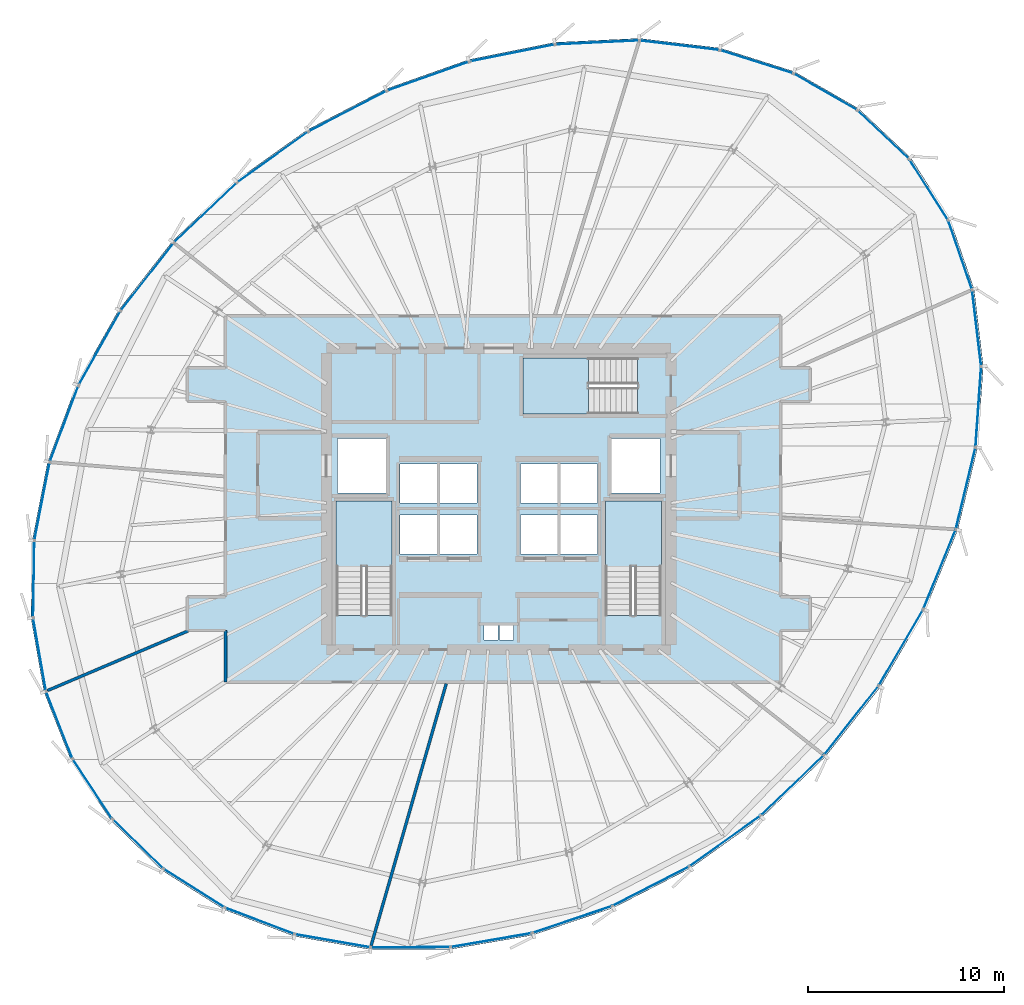
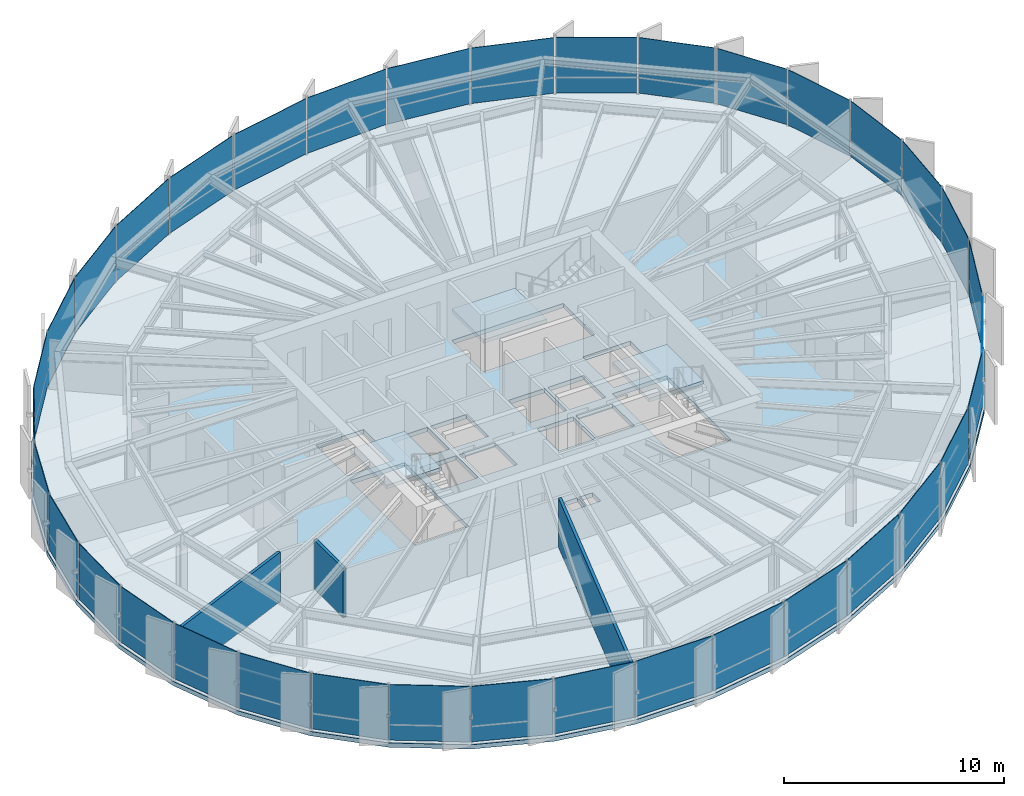
# One storey, part 29 of 35: 36 plates, 4 slabs, 3 walls, 9 elements without a shape of their own.
"""IFC4 building model written with IfcOpenShell, lengths in metres."""

from ifc_helpers import new_model, si_unit, direction, frame, frame_2d, origin, origin_2d, place, context, subcontext, project, spatial, polyline, rectangle, outline, extrude, source, transform, mapped, material, layer, layer_set, type_object, element, aggregate, save


model = new_model("IFC4")

# Units and contexts
model_context = context("Model", 3, precision=1e-05, world=origin(), true_north=direction((0.0, 1.0)))
body_context = subcontext(model_context, "Body", "Model", "MODEL_VIEW")
ifc_project = project(units=[si_unit("LENGTHUNIT", "METRE"), si_unit("AREAUNIT", "SQUARE_METRE"), si_unit("VOLUMEUNIT", "CUBIC_METRE"), si_unit("PLANEANGLEUNIT", "RADIAN"), si_unit("MASSUNIT", "GRAM", prefix="KILO"), si_unit("THERMODYNAMICTEMPERATUREUNIT", "KELVIN")], contexts=[model_context])

# Site, building, storey
site_placement = place(None, origin())
site = spatial("IfcSite", under=ifc_project, at=site_placement, CompositionType="ELEMENT")
building_placement = place(site_placement, origin())
building = spatial("IfcBuilding", under=site, at=building_placement, Name="Kethvar Cultural Tower", CompositionType="ELEMENT")
storey_placement = place(building_placement, frame((0.0, 0.0, 193.89990234375)))
storey = spatial("IfcBuildingStorey", under=building, at=storey_placement, Name="L50", CompositionType="ELEMENT", Elevation=193.89990234375)

# Stair, slab
ifc_material_1 = material(Name="Concrete C40/50", Category="concrete")
stair_type = type_object("IfcStairType", Name="ST-DOGLEG-135", PredefinedType="HALF_TURN_STAIR", material=ifc_material_1)
stair_1_placement = place(storey_placement, origin())
stair_1 = element("IfcStair", 1, at=stair_1_placement, inside=storey, type_object=stair_type, Name="L50 Core Exit Stair 1", PredefinedType="HALF_TURN_STAIR")
ifc_layer_1 = layer(ifc_material_1, 0.199951171875, Name="Concrete C40/50", Category="concrete")
ifc_layer_set_1 = layer_set([ifc_layer_1], Name="Concrete C40/50 (200 mm)")
slab_type_1 = type_object("IfcSlabType", Name="SL-STAIR-LANDING-200", PredefinedType="LANDING", material=ifc_layer_set_1)
slab_1_placement = place(storey_placement, frame((0.0, 0.0, 1.550048828125)))
slab_1 = element("IfcSlab", 2, at=slab_1_placement, type_object=slab_type_1, Name="ST-01 landing 1", PredefinedType="LANDING", context=body_context, shape_type="SweptSolid", body=[
    extrude(outline(polyline([(41.35009765625, 24.3701171875), (41.35009765625, 27.699951171875), (38.489990234375, 27.699951171875), (38.489990234375, 24.3701171875), (41.35009765625, 24.3701171875)])), origin(), (0.0, 0.0, 1.0), 0.199951171875),
])
aggregate(stair_1, [slab_1])

stair_2_placement = place(storey_placement, origin())
stair_2 = element("IfcStair", 3, at=stair_2_placement, inside=storey, type_object=stair_type, Name="L50 Core Exit Stair 2", PredefinedType="HALF_TURN_STAIR")
slab_2_placement = place(storey_placement, frame((0.0, 0.0, 1.550048828125)))
slab_2 = element("IfcSlab", 4, at=slab_2_placement, type_object=slab_type_1, Name="ST-02 landing 1", PredefinedType="LANDING", context=body_context, shape_type="SweptSolid", body=[
    extrude(outline(polyline([(55.110107421875, 24.3701171875), (55.110107421875, 27.699951171875), (52.25, 27.699951171875), (52.25, 24.3701171875), (55.110107421875, 24.3701171875)])), origin(), (0.0, 0.0, 1.0), 0.199951171875),
])
aggregate(stair_2, [slab_2])

stair_3_placement = place(storey_placement, origin())
stair_3 = element("IfcStair", 5, at=stair_3_placement, inside=storey, type_object=stair_type, Name="L50 Core Exit Stair 3", PredefinedType="HALF_TURN_STAIR")
slab_3_placement = place(storey_placement, frame((0.0, 0.0, 1.550048828125)))
slab_3 = element("IfcSlab", 6, at=slab_3_placement, type_object=slab_type_1, Name="ST-03 landing 1", PredefinedType="LANDING", context=body_context, shape_type="SweptSolid", body=[
    extrude(outline(polyline([(51.3798828125, 35.010009765625), (48.050048828125, 35.010009765625), (48.050048828125, 32.14990234375), (51.3798828125, 32.14990234375), (51.3798828125, 35.010009765625)])), origin(), (0.0, 0.0, 1.0), 0.199951171875),
])
aggregate(stair_3, [slab_3])

# Slab
ifc_layer_2 = layer(ifc_material_1, 0.239990234375, Name="Concrete C40/50", Category="concrete")
ifc_layer_set_2 = layer_set([ifc_layer_2], Name="Concrete C40/50 (240 mm)")
slab_type_2 = type_object("IfcSlabType", Name="SL-TOW-240", PredefinedType="FLOOR", material=ifc_layer_set_2)
slab_4_placement = place(storey_placement, frame((0.0, 0.0, -0.239990234375)))
element("IfcSlab", 7, at=slab_4_placement, inside=storey, type_object=slab_type_2, Name="L50 Structural Floor Slab", PredefinedType="FLOOR", context=body_context, shape_type="SweptSolid", body=[
    extrude(outline(polyline([(67.86376953125, 45.225341796875), (65.180908203125, 47.760986328125), (61.890380859375, 49.6494140625), (58.110107421875, 50.847900390625), (53.979736328125, 51.3408203125), (49.653076171875, 51.13671875), (45.286376953125, 50.261962890625), (41.029052734375, 48.75732421875), (37.014404296875, 46.67138671875), (33.35107421875, 44.056884765625), (30.11181640625, 40.961181640625), (27.379638671875, 37.46533203125), (25.237548828125, 33.676025390625), (23.75048828125, 29.708251953125), (22.9638671875, 25.682373046875), (22.901611328125, 21.720703125), (23.565185546875, 17.944091796875), (24.93505859375, 14.466552734375), (26.968994140625, 11.394287109375), (29.605712890625, 8.82080078125), (32.764892578125, 6.823486328125), (36.350341796875, 5.4638671875), (40.25341796875, 4.782958984375), (44.35546875, 4.80126953125), (48.531494140625, 5.518310546875), (52.6552734375, 6.91259765625), (56.600830078125, 8.94140625), (60.248779296875, 11.543212890625), (63.503662109375, 14.651611328125), (66.3046875, 18.204345703125), (68.58056640625, 22.104248046875), (70.2578125, 26.2294921875), (71.269287109375, 30.44140625), (71.55908203125, 34.591064453125), (71.090087890625, 38.529052734375), (69.8515625, 42.114990234375), (67.86376953125, 45.225341796875)]), holes=[polyline([(38.489990234375, 21.85009765625), (38.489990234375, 27.699951171875), (41.35009765625, 27.699951171875), (41.35009765625, 21.85009765625), (38.489990234375, 21.85009765625)]), polyline([(52.25, 21.85009765625), (52.25, 27.699951171875), (55.110107421875, 27.699951171875), (55.110107421875, 21.85009765625), (52.25, 21.85009765625)]), polyline([(53.89990234375, 32.14990234375), (48.050048828125, 32.14990234375), (48.050048828125, 35.010009765625), (53.89990234375, 35.010009765625), (53.89990234375, 32.14990234375)]), polyline([(41.75, 27.0), (43.64990234375, 27.0), (43.64990234375, 25.0), (41.75, 25.0), (41.75, 27.0)]), polyline([(43.800048828125, 27.0), (45.699951171875, 27.0), (45.699951171875, 25.0), (43.800048828125, 25.0), (43.800048828125, 27.0)]), polyline([(47.89990234375, 27.0), (49.800048828125, 27.0), (49.800048828125, 25.0), (47.89990234375, 25.0), (47.89990234375, 27.0)]), polyline([(49.949951171875, 27.0), (51.85009765625, 27.0), (51.85009765625, 25.0), (49.949951171875, 25.0), (49.949951171875, 27.0)]), polyline([(41.75, 29.60009765625), (43.64990234375, 29.60009765625), (43.64990234375, 27.60009765625), (41.75, 27.60009765625), (41.75, 29.60009765625)]), polyline([(43.800048828125, 29.60009765625), (45.699951171875, 29.60009765625), (45.699951171875, 27.60009765625), (43.800048828125, 27.60009765625), (43.800048828125, 29.60009765625)]), polyline([(47.89990234375, 29.60009765625), (49.800048828125, 29.60009765625), (49.800048828125, 27.60009765625), (47.89990234375, 27.60009765625), (47.89990234375, 29.60009765625)]), polyline([(49.949951171875, 29.60009765625), (51.85009765625, 29.60009765625), (51.85009765625, 27.60009765625), (49.949951171875, 27.60009765625), (49.949951171875, 29.60009765625)]), polyline([(38.550048828125, 30.89990234375), (41.050048828125, 30.89990234375), (41.050048828125, 28.10009765625), (38.550048828125, 28.10009765625), (38.550048828125, 30.89990234375)]), polyline([(52.550048828125, 30.89990234375), (55.050048828125, 30.89990234375), (55.050048828125, 28.10009765625), (52.550048828125, 28.10009765625), (52.550048828125, 30.89990234375)]), polyline([(46.050048828125, 21.35009765625), (46.75, 21.35009765625), (46.75, 20.60009765625), (46.050048828125, 20.60009765625), (46.050048828125, 21.35009765625)]), polyline([(46.85009765625, 21.35009765625), (47.550048828125, 21.35009765625), (47.550048828125, 20.60009765625), (46.85009765625, 20.60009765625), (46.85009765625, 21.35009765625)])]), origin(), (0.0, 0.0, 1.0), 0.239990234375),
])

# Curtain wall, plate
ifc_material_2 = material(Name="Aluminium 6063-T6", Category="aluminium")
ifc_layer_3 = layer(ifc_material_2, 0.179931640625, Name="Aluminium 6063-T6", Category="aluminium")
ifc_layer_set_3 = layer_set([ifc_layer_3], Name="Aluminium 6063-T6 (180 mm)")
curtain_wall_type = type_object("IfcCurtainWallType", Name="CW-SYS-04-Z34", PredefinedType="NOTDEFINED", material=ifc_layer_set_3)
curtain_wall_1_placement = place(storey_placement, origin())
curtain_wall_1 = element("IfcCurtainWall", 8, at=curtain_wall_1_placement, inside=storey, type_object=curtain_wall_type, Name="L50 Curtain Wall Run 01", PredefinedType="NOTDEFINED")
ifc_material_3 = material(Name="Insulated Low-E Solar Glass", Category="glass")
ifc_layer_4 = layer(ifc_material_3, 0.030029296875, Name="Insulated Low-E Solar Glass", Category="glass")
ifc_layer_set_4 = layer_set([ifc_layer_4], Name="Insulated Low-E Solar Glass (30 mm)")
plate_type = type_object("IfcPlateType", Name="CW-SYS-04-Z34-PNL", PredefinedType="CURTAIN_PANEL", material=ifc_layer_set_4)
shared_shape_1 = source(origin(), body_context, "Body", "SweptSolid", [
    extrude(rectangle(XDim=3.60498046875, YDim=0.030029296875, at=origin_2d()), origin(), (0.0, 0.0, 1.0), 3.080078125),
])
plate_1_placement = place(storey_placement, frame((66.44677734375, 46.4130859375, 0.090087890625), z_axis=(0.0, 0.0, 1.0), x_axis=(-0.72679049002, 0.686859216737, 0.0)))
plate_1 = element("IfcPlate", 9, at=plate_1_placement, type_object=plate_type, Name="CW-L50-R01 Vision Glazing Panel 1", PredefinedType="CURTAIN_PANEL", context=body_context, shape_type="MappedRepresentation", body=[
    mapped(shared_shape_1, transform((0.0, 0.0, 0.0), scale=1.0)),
])

curtain_wall_2_placement = place(storey_placement, origin())
curtain_wall_2 = element("IfcCurtainWall", 10, at=curtain_wall_2_placement, inside=storey, type_object=curtain_wall_type, Name="L50 Curtain Wall Run 06", PredefinedType="NOTDEFINED")
plate_2_placement = place(storey_placement, frame((68.764892578125, 43.611083984375, 0.090087890625), z_axis=(0.0, 0.0, 1.0), x_axis=(-0.538491387594, 0.842631013841, 0.0)))
plate_2 = element("IfcPlate", 11, at=plate_2_placement, type_object=plate_type, Name="CW-L50-R06 Vision Glazing Panel 6", PredefinedType="CURTAIN_PANEL", context=body_context, shape_type="MappedRepresentation", body=[
    mapped(shared_shape_1, transform((0.0, 0.0, 0.0), scale=1.0)),
])

# Plate
shared_shape_2 = source(origin(), body_context, "Body", "SweptSolid", [
    extrude(rectangle(XDim=3.70751953125, YDim=0.030029296875, at=origin_2d()), origin(), (0.0, 0.0, 1.0), 3.080078125),
])
plate_3_placement = place(storey_placement, frame((63.48095703125, 48.609619140625, 0.090087890625), z_axis=(0.0, 0.0, 1.0), x_axis=(-0.867296681112, 0.497791589856, 0.0)))
plate_3 = element("IfcPlate", 12, at=plate_3_placement, type_object=plate_type, Name="CW-L50-R01 Vision Glazing Panel 2", PredefinedType="CURTAIN_PANEL", context=body_context, shape_type="MappedRepresentation", body=[
    mapped(shared_shape_2, transform((0.0, 0.0, 0.0), scale=1.0)),
])

plate_4_placement = place(storey_placement, frame((70.36669921875, 40.2861328125, 0.090087890625), z_axis=(0.0, 0.0, 1.0), x_axis=(-0.326459139993, 0.945211314953, 0.0)))
plate_4 = element("IfcPlate", 13, at=plate_4_placement, type_object=plate_type, Name="CW-L50-R06 Vision Glazing Panel 5", PredefinedType="CURTAIN_PANEL", context=body_context, shape_type="MappedRepresentation", body=[
    mapped(shared_shape_2, transform((0.0, 0.0, 0.0), scale=1.0)),
])

shared_shape_3 = source(origin(), body_context, "Body", "SweptSolid", [
    extrude(rectangle(XDim=3.87939453125, YDim=0.030029296875, at=origin_2d()), origin(), (0.0, 0.0, 1.0), 3.080078125),
])
plate_5_placement = place(storey_placement, frame((59.967041015625, 50.143798828125, 0.090087890625), z_axis=(0.0, 0.0, 1.0), x_axis=(-0.953243426776, 0.30220352299, 0.0)))
plate_5 = element("IfcPlate", 14, at=plate_5_placement, type_object=plate_type, Name="CW-L50-R01 Vision Glazing Panel 3", PredefinedType="CURTAIN_PANEL", context=body_context, shape_type="MappedRepresentation", body=[
    mapped(shared_shape_3, transform((0.0, 0.0, 0.0), scale=1.0)),
])

plate_6_placement = place(storey_placement, frame((71.21533203125, 36.547119140625, 0.090087890625), z_axis=(0.0, 0.0, 1.0), x_axis=(-0.118265323013, 0.99298203074, 0.0)))
plate_6 = element("IfcPlate", 15, at=plate_6_placement, type_object=plate_type, Name="CW-L50-R06 Vision Glazing Panel 4", PredefinedType="CURTAIN_PANEL", context=body_context, shape_type="MappedRepresentation", body=[
    mapped(shared_shape_3, transform((0.0, 0.0, 0.0), scale=1.0)),
])

shared_shape_4 = source(origin(), body_context, "Body", "SweptSolid", [
    extrude(rectangle(XDim=4.0732421875, YDim=0.030029296875, at=origin_2d()), origin(), (0.0, 0.0, 1.0), 3.080078125),
])
plate_7_placement = place(storey_placement, frame((56.031982421875, 50.985107421875, 0.090087890625), z_axis=(0.0, 0.0, 1.0), x_axis=(-0.992951034922, 0.118525281045, 0.0)))
plate_7 = element("IfcPlate", 16, at=plate_7_placement, type_object=plate_type, Name="CW-L50-R01 Vision Glazing Panel 4", PredefinedType="CURTAIN_PANEL", context=body_context, shape_type="MappedRepresentation", body=[
    mapped(shared_shape_4, transform((0.0, 0.0, 0.0), scale=1.0)),
])

plate_8_placement = place(storey_placement, frame((71.304443359375, 32.52392578125, 0.090087890625), z_axis=(0.0, 0.0, 1.0), x_axis=(0.069652008699, 0.997571349671, 0.0)))
plate_8 = element("IfcPlate", 17, at=plate_8_placement, type_object=plate_type, Name="CW-L50-R06 Vision Glazing Panel 3", PredefinedType="CURTAIN_PANEL", context=body_context, shape_type="MappedRepresentation", body=[
    mapped(shared_shape_4, transform((0.0, 0.0, 0.0), scale=1.0)),
])

shared_shape_5 = source(origin(), body_context, "Body", "SweptSolid", [
    extrude(rectangle(XDim=4.2451171875, YDim=0.030029296875, at=origin_2d()), origin(), (0.0, 0.0, 1.0), 3.080078125),
])
plate_9_placement = place(storey_placement, frame((51.821533203125, 51.12890625, 0.090087890625), z_axis=(0.0, 0.0, 1.0), x_axis=(-0.998887407105, -0.047158752397, 0.0)))
plate_9 = element("IfcPlate", 18, at=plate_9_placement, type_object=plate_type, Name="CW-L50-R01 Vision Glazing Panel 5", PredefinedType="CURTAIN_PANEL", context=body_context, shape_type="MappedRepresentation", body=[
    mapped(shared_shape_5, transform((0.0, 0.0, 0.0), scale=1.0)),
])

shared_shape_6 = source(origin(), body_context, "Body", "SweptSolid", [
    extrude(rectangle(XDim=4.366943359375, YDim=0.030029296875, at=origin_2d()), origin(), (0.0, 0.0, 1.0), 3.080078125),
])
plate_10_placement = place(storey_placement, frame((47.4912109375, 50.59130859375, 0.090087890625), z_axis=(0.0, 0.0, 1.0), x_axis=(-0.980525640045, -0.196391112869, 0.0)))
plate_10 = element("IfcPlate", 19, at=plate_10_placement, type_object=plate_type, Name="CW-L50-R01 Vision Glazing Panel 6", PredefinedType="CURTAIN_PANEL", context=body_context, shape_type="MappedRepresentation", body=[
    mapped(shared_shape_6, transform((0.0, 0.0, 0.0), scale=1.0)),
])

aggregate(curtain_wall_1, [plate_1, plate_3, plate_5, plate_7, plate_9, plate_10])

plate_11_placement = place(storey_placement, frame((69.3173828125, 24.20849609375, 0.090087890625), z_axis=(0.0, 0.0, 1.0), x_axis=(0.376660837681, 0.926351236496, 0.0)))
plate_11 = element("IfcPlate", 20, at=plate_11_placement, type_object=plate_type, Name="CW-L50-R06 Vision Glazing Panel 1", PredefinedType="CURTAIN_PANEL", context=body_context, shape_type="MappedRepresentation", body=[
    mapped(shared_shape_6, transform((0.0, 0.0, 0.0), scale=1.0)),
])

# Curtain wall, plate
curtain_wall_3_placement = place(storey_placement, origin())
curtain_wall_3 = element("IfcCurtainWall", 21, at=curtain_wall_3_placement, inside=storey, type_object=curtain_wall_type, Name="L50 Curtain Wall Run 02", PredefinedType="NOTDEFINED")
shared_shape_7 = source(origin(), body_context, "Body", "SweptSolid", [
    extrude(rectangle(XDim=4.428955078125, YDim=0.030029296875, at=origin_2d()), origin(), (0.0, 0.0, 1.0), 3.080078125),
])
plate_12_placement = place(storey_placement, frame((43.1943359375, 49.406005859375, 0.090087890625), z_axis=(0.0, 0.0, 1.0), x_axis=(-0.942839410089, -0.333247425772, 0.0)))
plate_12 = element("IfcPlate", 22, at=plate_12_placement, type_object=plate_type, Name="CW-L50-R02 Vision Glazing Panel 1", PredefinedType="CURTAIN_PANEL", context=body_context, shape_type="MappedRepresentation", body=[
    mapped(shared_shape_7, transform((0.0, 0.0, 0.0), scale=1.0)),
])

curtain_wall_4_placement = place(storey_placement, origin())
curtain_wall_4 = element("IfcCurtainWall", 23, at=curtain_wall_4_placement, inside=storey, type_object=curtain_wall_type, Name="L50 Curtain Wall Run 05", PredefinedType="NOTDEFINED")
plate_13_placement = place(storey_placement, frame((67.34765625, 20.209716796875, 0.090087890625), z_axis=(0.0, 0.0, 1.0), x_axis=(0.50401518578, 0.863694791291, 0.0)))
plate_13 = element("IfcPlate", 24, at=plate_13_placement, type_object=plate_type, Name="CW-L50-R05 Vision Glazing Panel 6", PredefinedType="CURTAIN_PANEL", context=body_context, shape_type="MappedRepresentation", body=[
    mapped(shared_shape_7, transform((0.0, 0.0, 0.0), scale=1.0)),
])

# Plate
shared_shape_8 = source(origin(), body_context, "Body", "SweptSolid", [
    extrude(rectangle(XDim=4.437744140625, YDim=0.030029296875, at=origin_2d()), origin(), (0.0, 0.0, 1.0), 3.080078125),
])
plate_14_placement = place(storey_placement, frame((39.072509765625, 47.61669921875, 0.090087890625), z_axis=(0.0, 0.0, 1.0), x_axis=(-0.887381262814, -0.461036326558, 0.0)))
plate_14 = element("IfcPlate", 25, at=plate_14_placement, type_object=plate_type, Name="CW-L50-R02 Vision Glazing Panel 2", PredefinedType="CURTAIN_PANEL", context=body_context, shape_type="MappedRepresentation", body=[
    mapped(shared_shape_8, transform((0.0, 0.0, 0.0), scale=1.0)),
])

plate_15_placement = place(storey_placement, frame((64.81787109375, 16.49609375, 0.090087890625), z_axis=(0.0, 0.0, 1.0), x_axis=(0.619162478783, 0.785262901752, 0.0)))
plate_15 = element("IfcPlate", 26, at=plate_15_placement, type_object=plate_type, Name="CW-L50-R05 Vision Glazing Panel 5", PredefinedType="CURTAIN_PANEL", context=body_context, shape_type="MappedRepresentation", body=[
    mapped(shared_shape_8, transform((0.0, 0.0, 0.0), scale=1.0)),
])

shared_shape_9 = source(origin(), body_context, "Body", "SweptSolid", [
    extrude(rectangle(XDim=4.414306640625, YDim=0.030029296875, at=origin_2d()), origin(), (0.0, 0.0, 1.0), 3.080078125),
])
plate_16_placement = place(storey_placement, frame((35.24658203125, 45.274658203125, 0.090087890625), z_axis=(0.0, 0.0, 1.0), x_axis=(-0.813953323758, -0.580930277006, 0.0)))
plate_16 = element("IfcPlate", 27, at=plate_16_placement, type_object=plate_type, Name="CW-L50-R02 Vision Glazing Panel 3", PredefinedType="CURTAIN_PANEL", context=body_context, shape_type="MappedRepresentation", body=[
    mapped(shared_shape_9, transform((0.0, 0.0, 0.0), scale=1.0)),
])

plate_17_placement = place(storey_placement, frame((61.80029296875, 13.177001953125, 0.090087890625), z_axis=(0.0, 0.0, 1.0), x_axis=(0.723147993724, 0.690693115047, 0.0)))
plate_17 = element("IfcPlate", 28, at=plate_17_placement, type_object=plate_type, Name="CW-L50-R05 Vision Glazing Panel 4", PredefinedType="CURTAIN_PANEL", context=body_context, shape_type="MappedRepresentation", body=[
    mapped(shared_shape_9, transform((0.0, 0.0, 0.0), scale=1.0)),
])

shared_shape_10 = source(origin(), body_context, "Body", "SweptSolid", [
    extrude(rectangle(XDim=4.394287109375, YDim=0.030029296875, at=origin_2d()), origin(), (0.0, 0.0, 1.0), 3.080078125),
])
plate_18_placement = place(storey_placement, frame((31.807373046875, 42.429443359375, 0.090087890625), z_axis=(0.0, 0.0, 1.0), x_axis=(-0.722943029123, -0.69090764697, 0.0)))
plate_18 = element("IfcPlate", 29, at=plate_18_placement, type_object=plate_type, Name="CW-L50-R02 Vision Glazing Panel 4", PredefinedType="CURTAIN_PANEL", context=body_context, shape_type="MappedRepresentation", body=[
    mapped(shared_shape_10, transform((0.0, 0.0, 0.0), scale=1.0)),
])

plate_19_placement = place(storey_placement, frame((58.361083984375, 10.331787109375, 0.090087890625), z_axis=(0.0, 0.0, 1.0), x_axis=(0.814145922776, 0.580660327926, 0.0)))
plate_19 = element("IfcPlate", 30, at=plate_19_placement, type_object=plate_type, Name="CW-L50-R05 Vision Glazing Panel 3", PredefinedType="CURTAIN_PANEL", context=body_context, shape_type="MappedRepresentation", body=[
    mapped(shared_shape_10, transform((0.0, 0.0, 0.0), scale=1.0)),
])

shared_shape_11 = source(origin(), body_context, "Body", "SweptSolid", [
    extrude(rectangle(XDim=4.350341796875, YDim=0.030029296875, at=origin_2d()), origin(), (0.0, 0.0, 1.0), 3.080078125),
])
plate_20_placement = place(storey_placement, frame((28.83251953125, 39.1455078125, 0.090087890625), z_axis=(0.0, 0.0, 1.0), x_axis=(-0.615812751183, -0.787892540567, 0.0)))
plate_20 = element("IfcPlate", 31, at=plate_20_placement, type_object=plate_type, Name="CW-L50-R02 Vision Glazing Panel 5", PredefinedType="CURTAIN_PANEL", context=body_context, shape_type="MappedRepresentation", body=[
    mapped(shared_shape_11, transform((0.0, 0.0, 0.0), scale=1.0)),
])

plate_21_placement = place(storey_placement, frame((54.577880859375, 8.024658203125, 0.090087890625), z_axis=(0.0, 0.0, 1.0), x_axis=(0.889328600398, 0.457268674319, 0.0)))
plate_21 = element("IfcPlate", 32, at=plate_21_placement, type_object=plate_type, Name="CW-L50-R05 Vision Glazing Panel 2", PredefinedType="CURTAIN_PANEL", context=body_context, shape_type="MappedRepresentation", body=[
    mapped(shared_shape_11, transform((0.0, 0.0, 0.0), scale=1.0)),
])

shared_shape_12 = source(origin(), body_context, "Body", "SweptSolid", [
    extrude(rectangle(XDim=4.2666015625, YDim=0.030029296875, at=origin_2d()), origin(), (0.0, 0.0, 1.0), 3.080078125),
])
plate_22_placement = place(storey_placement, frame((26.404296875, 35.5166015625, 0.090087890625), z_axis=(0.0, 0.0, 1.0), x_axis=(-0.492119718658, -0.87052753116, 0.0)))
plate_22 = element("IfcPlate", 33, at=plate_22_placement, type_object=plate_type, Name="CW-L50-R02 Vision Glazing Panel 6", PredefinedType="CURTAIN_PANEL", context=body_context, shape_type="MappedRepresentation", body=[
    mapped(shared_shape_12, transform((0.0, 0.0, 0.0), scale=1.0)),
])

aggregate(curtain_wall_3, [plate_12, plate_14, plate_16, plate_18, plate_20, plate_22])

plate_23_placement = place(storey_placement, frame((50.55810546875, 6.319580078125, 0.090087890625), z_axis=(0.0, 0.0, 1.0), x_axis=(0.947316544957, 0.32029886614, 0.0)))
plate_23 = element("IfcPlate", 34, at=plate_23_placement, type_object=plate_type, Name="CW-L50-R05 Vision Glazing Panel 1", PredefinedType="CURTAIN_PANEL", context=body_context, shape_type="MappedRepresentation", body=[
    mapped(shared_shape_12, transform((0.0, 0.0, 0.0), scale=1.0)),
])

aggregate(curtain_wall_4, [plate_23, plate_21, plate_19, plate_17, plate_15, plate_13])

# Curtain wall, plate
curtain_wall_5_placement = place(storey_placement, origin())
curtain_wall_5 = element("IfcCurtainWall", 35, at=curtain_wall_5_placement, inside=storey, type_object=curtain_wall_type, Name="L50 Curtain Wall Run 03", PredefinedType="NOTDEFINED")
shared_shape_13 = source(origin(), body_context, "Body", "SweptSolid", [
    extrude(rectangle(XDim=4.15087890625, YDim=0.030029296875, at=origin_2d()), origin(), (0.0, 0.0, 1.0), 3.080078125),
])
plate_24_placement = place(storey_placement, frame((24.596923828125, 31.653564453125, 0.090087890625), z_axis=(0.0, 0.0, 1.0), x_axis=(-0.350926590527, -0.936402973116, 0.0)))
plate_24 = element("IfcPlate", 36, at=plate_24_placement, type_object=plate_type, Name="CW-L50-R03 Vision Glazing Panel 1", PredefinedType="CURTAIN_PANEL", context=body_context, shape_type="MappedRepresentation", body=[
    mapped(shared_shape_13, transform((0.0, 0.0, 0.0), scale=1.0)),
])

curtain_wall_6_placement = place(storey_placement, origin())
curtain_wall_6 = element("IfcCurtainWall", 37, at=curtain_wall_6_placement, inside=storey, type_object=curtain_wall_type, Name="L50 Curtain Wall Run 04", PredefinedType="NOTDEFINED")
plate_25_placement = place(storey_placement, frame((46.4248046875, 5.268310546875, 0.090087890625), z_axis=(0.0, 0.0, 1.0), x_axis=(0.985576741648, 0.169229094198, 0.0)))
plate_25 = element("IfcPlate", 38, at=plate_25_placement, type_object=plate_type, Name="CW-L50-R04 Vision Glazing Panel 6", PredefinedType="CURTAIN_PANEL", context=body_context, shape_type="MappedRepresentation", body=[
    mapped(shared_shape_13, transform((0.0, 0.0, 0.0), scale=1.0)),
])

# Plate
shared_shape_14 = source(origin(), body_context, "Body", "SweptSolid", [
    extrude(rectangle(XDim=4.015625, YDim=0.030029296875, at=origin_2d()), origin(), (0.0, 0.0, 1.0), 3.080078125),
])
plate_26_placement = place(storey_placement, frame((23.465087890625, 27.67431640625, 0.090087890625), z_axis=(0.0, 0.0, 1.0), x_axis=(-0.19175120177, -0.98144356772, 0.0)))
plate_26 = element("IfcPlate", 39, at=plate_26_placement, type_object=plate_type, Name="CW-L50-R03 Vision Glazing Panel 2", PredefinedType="CURTAIN_PANEL", context=body_context, shape_type="MappedRepresentation", body=[
    mapped(shared_shape_14, transform((0.0, 0.0, 0.0), scale=1.0)),
])

plate_27_placement = place(storey_placement, frame((42.303955078125, 4.902099609375, 0.090087890625), z_axis=(0.0, 0.0, 1.0), x_axis=(0.999990018313, 0.004468028019, 0.0)))
plate_27 = element("IfcPlate", 40, at=plate_27_placement, type_object=plate_type, Name="CW-L50-R04 Vision Glazing Panel 5", PredefinedType="CURTAIN_PANEL", context=body_context, shape_type="MappedRepresentation", body=[
    mapped(shared_shape_14, transform((0.0, 0.0, 0.0), scale=1.0)),
])

shared_shape_15 = source(origin(), body_context, "Body", "SweptSolid", [
    extrude(rectangle(XDim=3.87548828125, YDim=0.030029296875, at=origin_2d()), origin(), (0.0, 0.0, 1.0), 3.080078125),
])
plate_28_placement = place(storey_placement, frame((23.042724609375, 23.69970703125, 0.090087890625), z_axis=(0.0, 0.0, 1.0), x_axis=(-0.015742219581, -0.999876083584, 0.0)))
plate_28 = element("IfcPlate", 41, at=plate_28_placement, type_object=plate_type, Name="CW-L50-R03 Vision Glazing Panel 3", PredefinedType="CURTAIN_PANEL", context=body_context, shape_type="MappedRepresentation", body=[
    mapped(shared_shape_15, transform((0.0, 0.0, 0.0), scale=1.0)),
])

plate_29_placement = place(storey_placement, frame((38.32080078125, 5.231689453125, 0.090087890625), z_axis=(0.0, 0.0, 1.0), x_axis=(0.985118326991, -0.17187751984, 0.0)))
plate_29 = element("IfcPlate", 42, at=plate_29_placement, type_object=plate_type, Name="CW-L50-R04 Vision Glazing Panel 4", PredefinedType="CURTAIN_PANEL", context=body_context, shape_type="MappedRepresentation", body=[
    mapped(shared_shape_15, transform((0.0, 0.0, 0.0), scale=1.0)),
])

shared_shape_16 = source(origin(), body_context, "Body", "SweptSolid", [
    extrude(rectangle(XDim=3.748291015625, YDim=0.030029296875, at=origin_2d()), origin(), (0.0, 0.0, 1.0), 3.080078125),
])
plate_30_placement = place(storey_placement, frame((23.341796875, 19.851318359375, 0.090087890625), z_axis=(0.0, 0.0, 1.0), x_axis=(0.173080940349, -0.984907603833, 0.0)))
plate_30 = element("IfcPlate", 43, at=plate_30_placement, type_object=plate_type, Name="CW-L50-R03 Vision Glazing Panel 4", PredefinedType="CURTAIN_PANEL", context=body_context, shape_type="MappedRepresentation", body=[
    mapped(shared_shape_16, transform((0.0, 0.0, 0.0), scale=1.0)),
])

plate_31_placement = place(storey_placement, frame((34.5966796875, 6.24658203125, 0.090087890625), z_axis=(0.0, 0.0, 1.0), x_axis=(0.935030048258, -0.354568482601, 0.0)))
plate_31 = element("IfcPlate", 44, at=plate_31_placement, type_object=plate_type, Name="CW-L50-R04 Vision Glazing Panel 3", PredefinedType="CURTAIN_PANEL", context=body_context, shape_type="MappedRepresentation", body=[
    mapped(shared_shape_16, transform((0.0, 0.0, 0.0), scale=1.0)),
])

shared_shape_17 = source(origin(), body_context, "Body", "SweptSolid", [
    extrude(rectangle(XDim=3.65087890625, YDim=0.030029296875, at=origin_2d()), origin(), (0.0, 0.0, 1.0), 3.080078125),
])
plate_32_placement = place(storey_placement, frame((24.352294921875, 16.24560546875, 0.090087890625), z_axis=(0.0, 0.0, 1.0), x_axis=(0.366501226724, -0.930417567982, 0.0)))
plate_32 = element("IfcPlate", 45, at=plate_32_placement, type_object=plate_type, Name="CW-L50-R03 Vision Glazing Panel 5", PredefinedType="CURTAIN_PANEL", context=body_context, shape_type="MappedRepresentation", body=[
    mapped(shared_shape_17, transform((0.0, 0.0, 0.0), scale=1.0)),
])

plate_33_placement = place(storey_placement, frame((31.244140625, 7.9150390625, 0.090087890625), z_axis=(0.0, 0.0, 1.0), x_axis=(0.845261833222, -0.53435234939, 0.0)))
plate_33 = element("IfcPlate", 46, at=plate_33_placement, type_object=plate_type, Name="CW-L50-R04 Vision Glazing Panel 2", PredefinedType="CURTAIN_PANEL", context=body_context, shape_type="MappedRepresentation", body=[
    mapped(shared_shape_17, transform((0.0, 0.0, 0.0), scale=1.0)),
])

shared_shape_18 = source(origin(), body_context, "Body", "SweptSolid", [
    extrude(rectangle(XDim=3.59814453125, YDim=0.030029296875, at=origin_2d()), origin(), (0.0, 0.0, 1.0), 3.080078125),
])
plate_34_placement = place(storey_placement, frame((26.043701171875, 12.9912109375, 0.090087890625), z_axis=(0.0, 0.0, 1.0), x_axis=(0.552053412357, -0.833808748998, 0.0)))
plate_34 = element("IfcPlate", 47, at=plate_34_placement, type_object=plate_type, Name="CW-L50-R03 Vision Glazing Panel 6", PredefinedType="CURTAIN_PANEL", context=body_context, shape_type="MappedRepresentation", body=[
    mapped(shared_shape_18, transform((0.0, 0.0, 0.0), scale=1.0)),
])

aggregate(curtain_wall_5, [plate_24, plate_26, plate_28, plate_30, plate_32, plate_34])

shared_shape_19 = source(origin(), body_context, "Body", "SweptSolid", [
    extrude(rectangle(XDim=3.597900390625, YDim=0.030029296875, at=origin_2d()), origin(), (0.0, 0.0, 1.0), 3.080078125),
])
plate_35_placement = place(storey_placement, frame((28.3642578125, 10.186279296875, 0.090087890625), z_axis=(0.0, 0.0, 1.0), x_axis=(0.715595209557, -0.69851520818, 0.0)))
plate_35 = element("IfcPlate", 48, at=plate_35_placement, type_object=plate_type, Name="CW-L50-R04 Vision Glazing Panel 1", PredefinedType="CURTAIN_PANEL", context=body_context, shape_type="MappedRepresentation", body=[
    mapped(shared_shape_19, transform((0.0, 0.0, 0.0), scale=1.0)),
])

aggregate(curtain_wall_6, [plate_35, plate_33, plate_31, plate_29, plate_27, plate_25])

shared_shape_20 = source(origin(), body_context, "Body", "SweptSolid", [
    extrude(rectangle(XDim=4.245361328125, YDim=0.030029296875, at=origin_2d()), origin(), (0.0, 0.0, 1.0), 3.080078125),
])
plate_36_placement = place(storey_placement, frame((70.656494140625, 28.361083984375, 0.090087890625), z_axis=(0.0, 0.0, 1.0), x_axis=(0.233496276706, 0.972357695894, 0.0)))
plate_36 = element("IfcPlate", 49, at=plate_36_placement, type_object=plate_type, Name="CW-L50-R06 Vision Glazing Panel 2", PredefinedType="CURTAIN_PANEL", context=body_context, shape_type="MappedRepresentation", body=[
    mapped(shared_shape_20, transform((0.0, 0.0, 0.0), scale=1.0)),
])

aggregate(curtain_wall_2, [plate_11, plate_36, plate_8, plate_6, plate_4, plate_2])

# Walls
ifc_material_4 = material(Name="Gypsum Fireboard Partition")
ifc_layer_5 = layer(ifc_material_4, 0.14990234375, Name="Gypsum Fireboard Partition")
ifc_layer_set_5 = layer_set([ifc_layer_5], Name="Gypsum Fireboard Partition (150 mm)")
wall_type_1 = type_object("IfcWallType", Name="WL-FIRE-150", PredefinedType="PARTITIONING", material=ifc_layer_set_5)
wall_1_placement = place(storey_placement, frame((32.85009765625, 21.10009765625, 0.0), z_axis=(0.0, 0.0, 1.0), x_axis=(0.0, -1.0, 0.0)))
element("IfcWall", 50, at=wall_1_placement, inside=storey, type_object=wall_type_1, Name="L50 Corridor Rated Wall W1", PredefinedType="PARTITIONING", context=body_context, shape_type="SweptSolid", body=[
    extrude(rectangle(XDim=2.650146484375, YDim=0.14990234375, at=frame_2d((1.3251953125, 0.0))), origin(), (0.0, 0.0, 1.0), 2.735107421875),
])
ifc_material_5 = material(Name="Gypsum Acoustic Partition")
ifc_layer_6 = layer(ifc_material_5, 0.14990234375, Name="Gypsum Acoustic Partition")
ifc_layer_set_6 = layer_set([ifc_layer_6], Name="Gypsum Acoustic Partition (150 mm)")
wall_type_2 = type_object("IfcWallType", Name="WL-PART-150", PredefinedType="PARTITIONING", material=ifc_layer_set_6)
wall_2_placement = place(storey_placement, frame((30.931640625, 21.068603515625, 0.0), z_axis=(0.0, 0.0, 1.0), x_axis=(-0.920468749574, -0.390816172973, 0.0)))
element("IfcWall", 51, at=wall_2_placement, inside=storey, type_object=wall_type_2, Name="L50 Radial Partition Wall 01", PredefinedType="PARTITIONING", context=body_context, shape_type="SweptSolid", body=[
    extrude(rectangle(XDim=7.791748046875, YDim=0.14990234375, at=frame_2d((3.89599609375, 0.0))), origin(), (0.0, 0.0, 1.0), 2.735107421875),
])
wall_3_placement = place(storey_placement, frame((44.11865234375, 18.373046875, 0.0), z_axis=(0.0, 0.0, 1.0), x_axis=(-0.275658924293, -0.961255511015, 0.0)))
element("IfcWall", 52, at=wall_3_placement, inside=storey, type_object=wall_type_2, Name="L50 Radial Partition Wall 02", PredefinedType="PARTITIONING", context=body_context, shape_type="SweptSolid", body=[
    extrude(rectangle(XDim=13.923583984375, YDim=0.14990234375, at=frame_2d((6.9619140625, 0.0))), origin(), (0.0, 0.0, 1.0), 2.735107421875),
])

save(model, "model.ifc")
